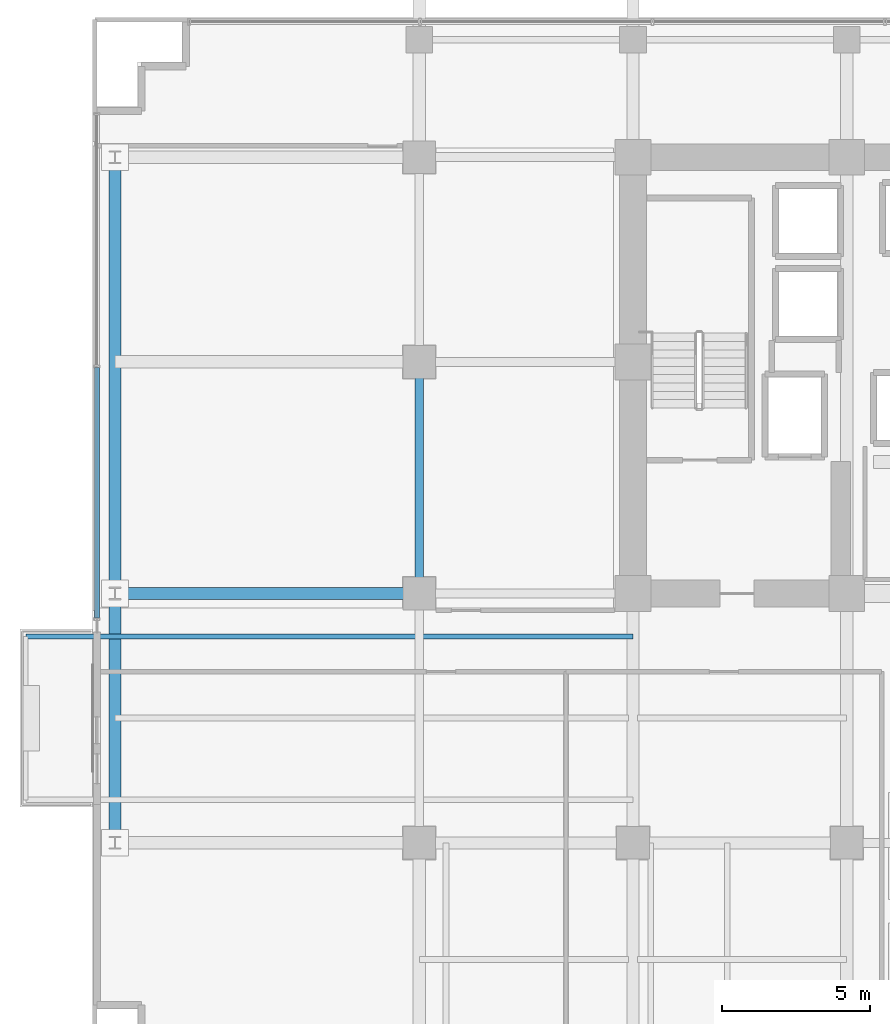
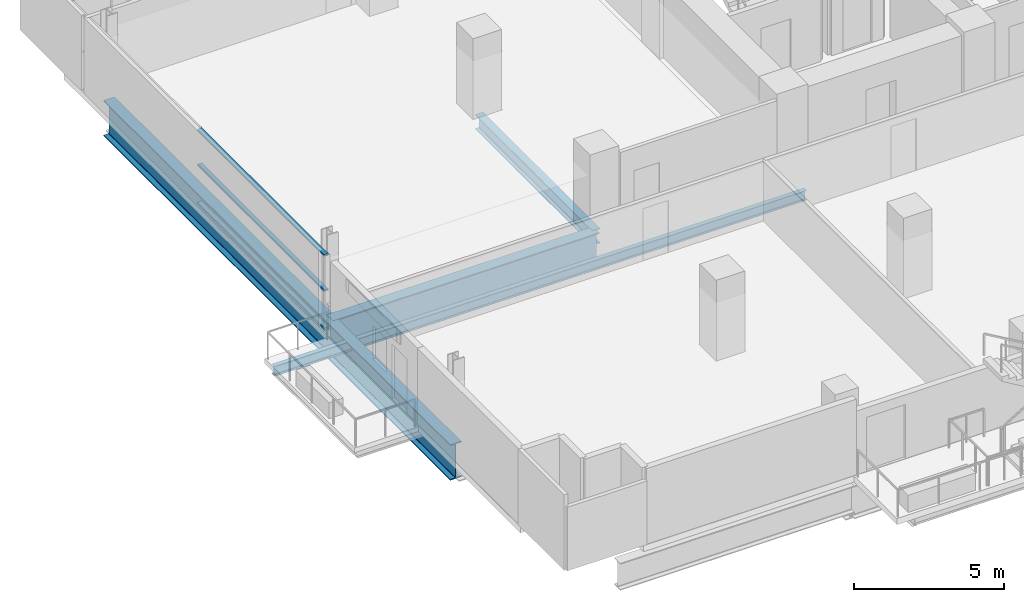
# One storey, part 6 of 32: 4 beams, 3 members, 1 element without a shape of its own.
"""IFC4 building model written with IfcOpenShell, lengths in metres."""

from ifc_helpers import new_model, si_unit, direction, frame, origin, origin_2d, place, context, subcontext, project, spatial, hollow_rectangle, i_section, extrude, source, transform, mapped, material, layer, layer_set, material_profile, profile_set, type_object, element, aggregate, save


model = new_model("IFC4")

# Units and contexts
model_context = context("Model", 3, precision=1e-05, world=origin(), true_north=direction((0.0, 1.0)))
body_context = subcontext(model_context, "Body", "Model", "MODEL_VIEW")
ifc_project = project(units=[si_unit("LENGTHUNIT", "METRE"), si_unit("AREAUNIT", "SQUARE_METRE"), si_unit("VOLUMEUNIT", "CUBIC_METRE"), si_unit("PLANEANGLEUNIT", "RADIAN"), si_unit("MASSUNIT", "GRAM", prefix="KILO")], contexts=[model_context])

# Site, building, storey
site_placement = place(None, origin())
site = spatial("IfcSite", under=ifc_project, at=site_placement, CompositionType="ELEMENT")
building_placement = place(site_placement, origin())
building = spatial("IfcBuilding", under=site, at=building_placement, Name="Zarnakvel Exchange Tower", CompositionType="ELEMENT")
storey_placement = place(building_placement, frame((0.0, 0.0, 27.39990234375)))
storey = spatial("IfcBuildingStorey", under=building, at=storey_placement, Name="L06", CompositionType="ELEMENT", Elevation=27.39990234375)

# Beams
ifc_material_1 = material(Name="Steel S355", Category="steel")
ifc_material_profile_1 = material_profile(ifc_material_1, i_section(OverallWidth=0.179931640625, OverallDepth=0.39990234375, WebThickness=0.008544921875, FlangeThickness=0.013427734375, FilletRadius=0.02099609375, at=origin_2d()))
ifc_profile_set_1 = profile_set([ifc_material_profile_1], Name="Steel S355")
beam_type_1 = type_object("IfcBeamType", Name="B-06", PredefinedType="JOIST", material=ifc_profile_set_1)
beam_1_placement = place(storey_placement, frame((-14.39990234375, -2.64990234375, -0.449951171875), z_axis=(-1.0, 0.0, 0.0), x_axis=(0.0, -1.0, 0.0)))
element("IfcBeam", 1, at=beam_1_placement, inside=storey, type_object=beam_type_1, Name="L06 Continuous West Loggia Beam N", PredefinedType="JOIST", context=body_context, shape_type="SweptSolid", body=[
    extrude(i_section(OverallWidth=0.179931640625, OverallDepth=0.39990234375, WebThickness=0.008544921875, FlangeThickness=0.013427734375, FilletRadius=0.02099609375, at=origin_2d()), origin(), (0.0, 0.0, 1.0), 20.4501953125),
])
ifc_material_profile_2 = material_profile(ifc_material_1, i_section(OverallWidth=0.300048828125, OverallDepth=0.60009765625, WebThickness=0.015380859375, FlangeThickness=0.030029296875, FilletRadius=0.027099609375, at=origin_2d()))
ifc_profile_set_2 = profile_set([ifc_material_profile_2], Name="Steel S355")
beam_type_2 = type_object("IfcBeamType", Name="G-04", PredefinedType="BEAM", material=ifc_profile_set_2)
beam_2_placement = place(storey_placement, frame((-21.60009765625, -1.199951171875, -0.5498046875), z_axis=(0.0, 1.0, 0.0), x_axis=(-1.0, 0.0, 0.0)))
element("IfcBeam", 2, at=beam_2_placement, inside=storey, type_object=beam_type_2, Name="L06 Tower N-S Frame Beam", PredefinedType="BEAM", context=body_context, shape_type="SweptSolid", body=[
    extrude(i_section(OverallWidth=0.300048828125, OverallDepth=0.60009765625, WebThickness=0.015380859375, FlangeThickness=0.030029296875, FilletRadius=0.027099609375, at=origin_2d()), origin(), (0.0, 0.0, 1.0), 7.800048828125),
])
ifc_material_2 = material(Name="Steel S460", Category="steel")
ifc_material_profile_3 = material_profile(ifc_material_2, i_section(OverallWidth=0.419921875, OverallDepth=1.449951171875, WebThickness=0.02392578125, FlangeThickness=0.0400390625, FilletRadius=0.030029296875, at=origin_2d()))
ifc_profile_set_3 = profile_set([ifc_material_profile_3], Name="Steel S460")
beam_type_3 = type_object("IfcBeamType", Name="TG-01", PredefinedType="BEAM", material=ifc_profile_set_3)
beam_3_placement = place(storey_placement, frame((-31.85009765625, -1.199951171875, -0.974853515625), z_axis=(1.0, 0.0, 0.0), x_axis=(0.0, 1.0, 0.0)))
element("IfcBeam", 3, at=beam_3_placement, inside=storey, type_object=beam_type_3, Name="L06 Wing Continuous Transfer Girder West", PredefinedType="BEAM", context=body_context, shape_type="SweptSolid", body=[
    extrude(i_section(OverallWidth=0.419921875, OverallDepth=1.449951171875, WebThickness=0.02392578125, FlangeThickness=0.0400390625, FilletRadius=0.030029296875, at=origin_2d()), origin(), (0.0, 0.0, 1.0), 10.25),
])
beam_4_placement = place(storey_placement, frame((-31.85009765625, -9.60009765625, -0.974853515625), z_axis=(0.0, 1.0, 0.0), x_axis=(-1.0, 0.0, 0.0)))
element("IfcBeam", 4, at=beam_4_placement, inside=storey, type_object=beam_type_3, Name="L06 West Wing N-S Column Transfer Girder", PredefinedType="BEAM", context=body_context, shape_type="SweptSolid", body=[
    extrude(i_section(OverallWidth=0.419921875, OverallDepth=1.449951171875, WebThickness=0.02392578125, FlangeThickness=0.0400390625, FilletRadius=0.030029296875, at=origin_2d()), origin(), (0.0, 0.0, 1.0), 23.10009765625),
])

# Curtain wall, members
ifc_material_3 = material(Name="Architectural Bronze Anodised Aluminium", Category="aluminium")
ifc_layer = layer(ifc_material_3, 0.199951171875)
ifc_layer_set = layer_set([ifc_layer], Name="Architectural Bronze Anodised Aluminium")
curtain_wall_type = type_object("IfcCurtainWallType", Name="CW-04", PredefinedType="NOTDEFINED", material=ifc_layer_set)
curtain_wall_placement = place(storey_placement, origin())
curtain_wall = element("IfcCurtainWall", 5, at=curtain_wall_placement, inside=storey, type_object=curtain_wall_type, Name="L06 Curtain Wall CW-L06-WN (CW-04)", PredefinedType="NOTDEFINED")
ifc_material_profile_4 = material_profile(ifc_material_3, hollow_rectangle(XDim=0.159912109375, YDim=0.074951171875, WallThickness=0.00390625, at=origin_2d()))
ifc_profile_set_4 = profile_set([ifc_material_profile_4], Name="Architectural Bronze Anodised Aluminium")
member_type = type_object("IfcMemberType", Name="CWT-04", PredefinedType="USERDEFINED", material=ifc_profile_set_4)
shared_shape = source(origin(), body_context, "Body", "SweptSolid", [
    extrude(hollow_rectangle(XDim=0.159912109375, YDim=0.074951171875, WallThickness=0.00390625, at=origin_2d()), origin(), (0.0, 0.0, 1.0), 8.4375),
])
member_1_placement = place(storey_placement, frame((-32.4599609375, -2.02490234375, 0.03759765625), z_axis=(0.0, 1.0, 0.0), x_axis=(-1.0, 0.0, 0.0)))
member_1 = element("IfcMember", 6, at=member_1_placement, type_object=member_type, Name="CW-04 transom 1.1", ObjectType="TRANSOM", PredefinedType="USERDEFINED", context=body_context, shape_type="MappedRepresentation", body=[
    mapped(shared_shape, transform((0.0, 0.0, 0.0), x_axis=(1.0, 0.0, 0.0), y_axis=(0.0, 1.0, 0.0), z_axis=(0.0, 0.0, 1.0), scale=1.0)),
])
member_2_placement = place(storey_placement, frame((-32.4599609375, -2.02490234375, 1.588623046875), z_axis=(0.0, 1.0, 0.0), x_axis=(-1.0, 0.0, 0.0)))
member_2 = element("IfcMember", 7, at=member_2_placement, type_object=member_type, Name="CW-04 transom 1.2", ObjectType="TRANSOM", PredefinedType="USERDEFINED", context=body_context, shape_type="MappedRepresentation", body=[
    mapped(shared_shape, transform((0.0, 0.0, 0.0), x_axis=(1.0, 0.0, 0.0), y_axis=(0.0, 1.0, 0.0), z_axis=(0.0, 0.0, 1.0), scale=1.0)),
])
member_3_placement = place(storey_placement, frame((-32.4599609375, -2.02490234375, 3.017578125), z_axis=(0.0, 1.0, 0.0), x_axis=(-1.0, 0.0, 0.0)))
member_3 = element("IfcMember", 8, at=member_3_placement, type_object=member_type, Name="CW-04 transom 1.3", ObjectType="TRANSOM", PredefinedType="USERDEFINED", context=body_context, shape_type="MappedRepresentation", body=[
    mapped(shared_shape, transform((0.0, 0.0, 0.0), x_axis=(1.0, 0.0, 0.0), y_axis=(0.0, 1.0, 0.0), z_axis=(0.0, 0.0, 1.0), scale=1.0)),
])
aggregate(curtain_wall, [member_1, member_2, member_3])

save(model, "model.ifc")
